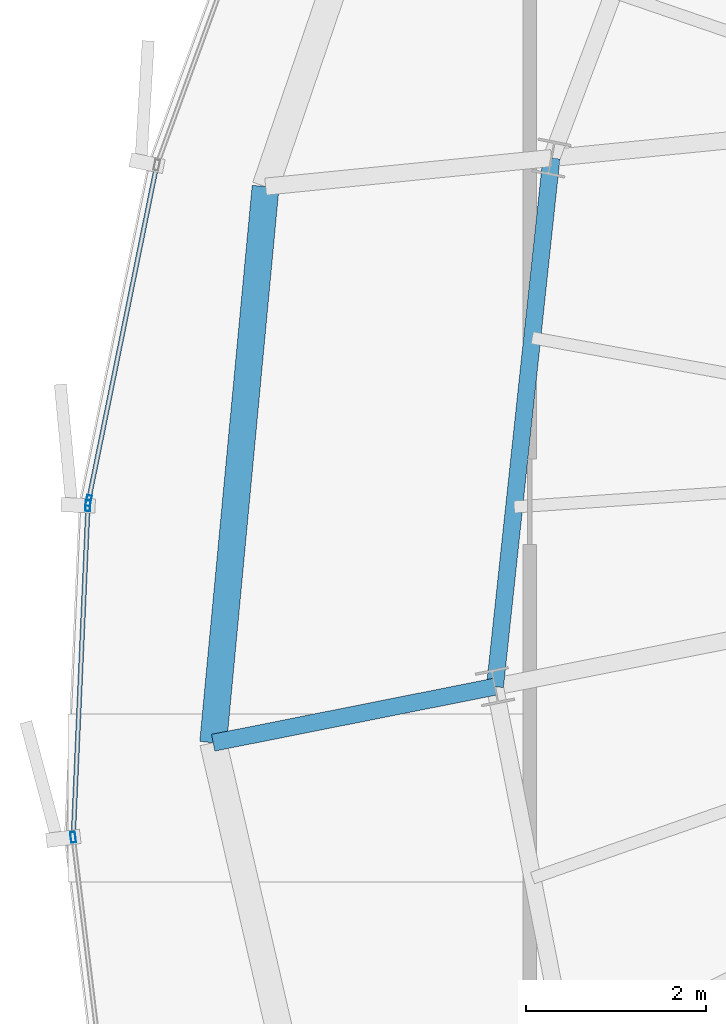
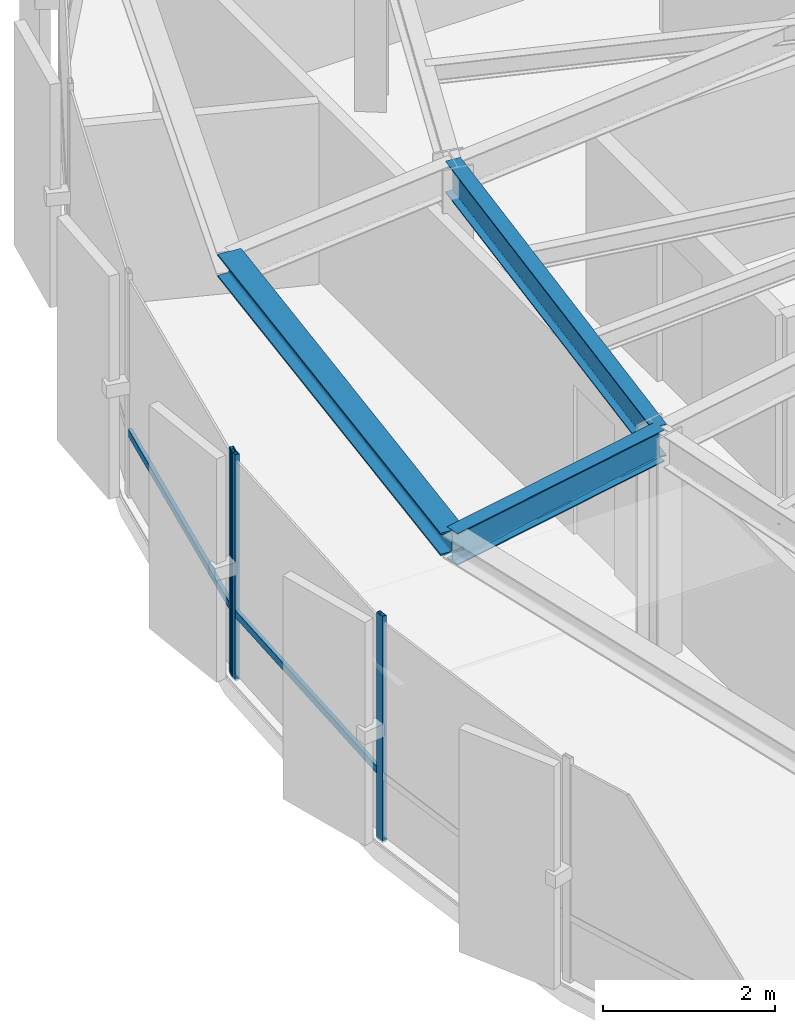
# One storey, part 9 of 33: 5 members, 3 beams, 2 elements without a shape of their own.
"""IFC4 building model written with IfcOpenShell, lengths in metres."""

from ifc_helpers import new_model, si_unit, direction, frame, origin, origin_2d, place, context, subcontext, project, spatial, hollow_rectangle, i_section, extrude, source, transform, mapped, material, layer, layer_set, material_profile, profile_set, type_object, element, aggregate, save


model = new_model("IFC4")

# Units and contexts
model_context = context("Model", 3, precision=1e-05, world=origin(), true_north=direction((0.0, 1.0)))
body_context = subcontext(model_context, "Body", "Model", "MODEL_VIEW")
ifc_project = project(units=[si_unit("LENGTHUNIT", "METRE"), si_unit("AREAUNIT", "SQUARE_METRE"), si_unit("VOLUMEUNIT", "CUBIC_METRE"), si_unit("PLANEANGLEUNIT", "RADIAN"), si_unit("MASSUNIT", "GRAM", prefix="KILO"), si_unit("THERMODYNAMICTEMPERATUREUNIT", "KELVIN")], contexts=[model_context])

# Site, building, storey
site_placement = place(None, origin())
site = spatial("IfcSite", under=ifc_project, at=site_placement, CompositionType="ELEMENT")
building_placement = place(site_placement, origin())
building = spatial("IfcBuilding", under=site, at=building_placement, Name="Kethvar Cultural Tower", CompositionType="ELEMENT")
storey_placement = place(building_placement, frame((0.0, 0.0, 266.35009765625)))
storey = spatial("IfcBuildingStorey", under=building, at=storey_placement, Name="L70", CompositionType="ELEMENT", Elevation=266.35009765625)

# Beams
ifc_material_1 = material(Name="Steel S355J2", Category="steel")
ifc_material_profile_1 = material_profile(ifc_material_1, i_section(OverallWidth=0.18994140625, OverallDepth=0.449951171875, WebThickness=0.009521484375, FlangeThickness=0.0146484375, FilletRadius=0.02099609375, at=origin_2d()), Name="Steel S355J2 — IPE450")
ifc_profile_set_1 = profile_set([ifc_material_profile_1], Name="Steel S355J2 — IPE450")
beam_type_1 = type_object("IfcBeamType", Name="BM-IPE450", PredefinedType="BEAM", material=ifc_profile_set_1)
shared_shape_1 = source(origin(), body_context, "Body", "SweptSolid", [
    extrude(i_section(OverallWidth=0.18994140625, OverallDepth=0.449951171875, WebThickness=0.009521484375, FlangeThickness=0.0146484375, FilletRadius=0.02099609375, at=origin_2d()), origin(), (0.0, 0.0, 1.0), 3.2001953125),
])
beam_1_placement = place(storey_placement, frame((31.68310546875, 24.79296875, 2.98291015625), z_axis=(-0.980788453702, -0.195074368086, 0.0), x_axis=(0.195074368086, -0.980788453702, 0.0)))
element("IfcBeam", 1, at=beam_1_placement, inside=storey, type_object=beam_type_1, Name="L70 Perimeter Cantilever Beam RC-09", PredefinedType="BEAM", context=body_context, shape_type="MappedRepresentation", body=[
    mapped(shared_shape_1, transform((0.0, 0.0, 0.0), scale=1.0)),
])
shared_shape_2 = source(origin(), body_context, "Body", "SweptSolid", [
    extrude(i_section(OverallWidth=0.18994140625, OverallDepth=0.449951171875, WebThickness=0.009521484375, FlangeThickness=0.0146484375, FilletRadius=0.02099609375, at=origin_2d()), origin(), (0.0, 0.0, 1.0), 5.92236328125),
])
beam_2_placement = place(storey_placement, frame((32.3125, 30.681884765625, 2.98291015625), z_axis=(-0.106272578913, -0.994337034899, 0.0), x_axis=(0.994337034899, -0.106272578913, 0.0)))
element("IfcBeam", 2, at=beam_2_placement, inside=storey, type_object=beam_type_1, Name="L70 Column Ring Tie Beam CR-08", PredefinedType="BEAM", context=body_context, shape_type="MappedRepresentation", body=[
    mapped(shared_shape_2, transform((0.0, 0.0, 0.0), scale=1.0)),
])
ifc_material_profile_2 = material_profile(ifc_material_1, i_section(OverallWidth=0.300048828125, OverallDepth=0.320068359375, WebThickness=0.011474609375, FlangeThickness=0.0205078125, FilletRadius=0.027099609375, at=origin_2d()), Name="Steel S355J2 — HEB320")
ifc_profile_set_2 = profile_set([ifc_material_profile_2], Name="Steel S355J2 — HEB320")
beam_type_2 = type_object("IfcBeamType", Name="BM-SP320", PredefinedType="SPANDREL", material=ifc_profile_set_2)
shared_shape_3 = source(origin(), body_context, "Body", "SweptSolid", [
    extrude(i_section(OverallWidth=0.300048828125, OverallDepth=0.320068359375, WebThickness=0.011474609375, FlangeThickness=0.0205078125, FilletRadius=0.027099609375, at=origin_2d()), origin(), (0.0, 0.0, 1.0), 6.222412109375),
])
beam_3_placement = place(storey_placement, frame((29.128173828125, 30.36376953125, 3.0478515625), z_axis=(-0.093811063392, -0.995590018223, 0.0), x_axis=(0.995590018223, -0.093811063392, 0.0)))
element("IfcBeam", 3, at=beam_3_placement, inside=storey, type_object=beam_type_2, Name="L70 Perimeter Spandrel Beam SP-08", PredefinedType="SPANDREL", context=body_context, shape_type="MappedRepresentation", body=[
    mapped(shared_shape_3, transform((0.0, 0.0, 0.0), scale=1.0)),
])

# Curtain wall, member
ifc_material_2 = material(Name="Aluminium 6063-T6", Category="aluminium")
ifc_layer = layer(ifc_material_2, 0.179931640625, Name="Aluminium 6063-T6", Category="aluminium")
ifc_layer_set = layer_set([ifc_layer], Name="Aluminium 6063-T6 (180 mm)")
curtain_wall_type = type_object("IfcCurtainWallType", Name="CW-SYS-05-Z56", PredefinedType="NOTDEFINED", material=ifc_layer_set)
curtain_wall_1_placement = place(storey_placement, origin())
curtain_wall_1 = element("IfcCurtainWall", 4, at=curtain_wall_1_placement, inside=storey, type_object=curtain_wall_type, Name="L70 Curtain Wall Run 02", PredefinedType="NOTDEFINED")
ifc_material_profile_3 = material_profile(ifc_material_2, hollow_rectangle(XDim=0.054931640625, YDim=0.1201171875, WallThickness=0.00390625, at=origin_2d()), Name="Aluminium 6063-T6 — RHS120x55x4")
ifc_profile_set_3 = profile_set([ifc_material_profile_3], Name="Aluminium 6063-T6 — RHS120x55x4")
member_type_1 = type_object("IfcMemberType", Name="CW-SYS-05-Z56-MUL", PredefinedType="MULLION", material=ifc_profile_set_3)
shared_shape_4 = source(origin(), body_context, "Body", "SweptSolid", [
    extrude(hollow_rectangle(XDim=0.054931640625, YDim=0.1201171875, WallThickness=0.00390625, at=origin_2d()), origin(), (0.0, 0.0, 1.0), 3.2099609375),
])
member_1_placement = place(storey_placement, frame((27.15625, 26.8642578125, 0.0), z_axis=(0.0, 0.0, 1.0), x_axis=(0.979990763651, -0.199042968123, 0.0)))
member_1 = element("IfcMember", 5, at=member_1_placement, type_object=member_type_1, Name="CW-L70-R02 Mullion 7", PredefinedType="MULLION", context=body_context, shape_type="MappedRepresentation", body=[
    mapped(shared_shape_4, transform((0.0, 0.0, 0.0), scale=1.0)),
])

# Curtain wall, members
curtain_wall_2_placement = place(storey_placement, origin())
curtain_wall_2 = element("IfcCurtainWall", 6, at=curtain_wall_2_placement, inside=storey, type_object=curtain_wall_type, Name="L70 Curtain Wall Run 03", PredefinedType="NOTDEFINED")
member_2_placement = place(storey_placement, frame((27.1494140625, 26.80908203125, 0.0), z_axis=(0.0, 0.0, 1.0), x_axis=(0.999015204251, -0.044369152288, 0.0)))
member_2 = element("IfcMember", 7, at=member_2_placement, type_object=member_type_1, Name="CW-L70-R03 Mullion 1", PredefinedType="MULLION", context=body_context, shape_type="MappedRepresentation", body=[
    mapped(shared_shape_4, transform((0.0, 0.0, 0.0), scale=1.0)),
])
member_3_placement = place(storey_placement, frame((26.984130859375, 23.1162109375, 0.0), z_axis=(0.0, 0.0, 1.0), x_axis=(0.992666900673, 0.120881860956, 0.0)))
member_3 = element("IfcMember", 8, at=member_3_placement, type_object=member_type_1, Name="CW-L70-R03 Mullion 2", PredefinedType="MULLION", context=body_context, shape_type="MappedRepresentation", body=[
    mapped(shared_shape_4, transform((0.0, 0.0, 0.0), scale=1.0)),
])

# Member
ifc_material_profile_4 = material_profile(ifc_material_2, hollow_rectangle(XDim=0.050048828125, YDim=0.10009765625, WallThickness=0.00390625, at=origin_2d()), Name="Aluminium 6063-T6 — RHS100x50x4")
ifc_profile_set_4 = profile_set([ifc_material_profile_4], Name="Aluminium 6063-T6 — RHS100x50x4")
member_type_2 = type_object("IfcMemberType", Name="CW-SYS-05-Z56-TRN", PredefinedType="USERDEFINED", material=ifc_profile_set_4)
shared_shape_5 = source(origin(), body_context, "Body", "SweptSolid", [
    extrude(hollow_rectangle(XDim=0.050048828125, YDim=0.10009765625, WallThickness=0.00390625, at=origin_2d()), origin(), (0.0, 0.0, 1.0), 3.771728515625),
])
member_4_placement = place(storey_placement, frame((27.90771484375, 30.564453125, 0.949951171875), z_axis=(-0.199040498077, -0.979991265331, 0.0), x_axis=(0.979991265331, -0.199040498077, 0.0)))
member_4 = element("IfcMember", 9, at=member_4_placement, type_object=member_type_2, Name="CW-L70-R02 Transom 6", ObjectType="TRANSOM", PredefinedType="USERDEFINED", context=body_context, shape_type="MappedRepresentation", body=[
    mapped(shared_shape_5, transform((0.0, 0.0, 0.0), scale=1.0)),
])

aggregate(curtain_wall_1, [member_1, member_4])

shared_shape_6 = source(origin(), body_context, "Body", "SweptSolid", [
    extrude(hollow_rectangle(XDim=0.050048828125, YDim=0.10009765625, WallThickness=0.00390625, at=origin_2d()), origin(), (0.0, 0.0, 1.0), 3.66943359375),
])
member_5_placement = place(storey_placement, frame((27.1494140625, 26.80517578125, 0.949951171875), z_axis=(-0.044378479182, -0.999014789973, 0.0), x_axis=(0.999014789973, -0.044378479182, 0.0)))
member_5 = element("IfcMember", 10, at=member_5_placement, type_object=member_type_2, Name="CW-L70-R03 Transom 1", ObjectType="TRANSOM", PredefinedType="USERDEFINED", context=body_context, shape_type="MappedRepresentation", body=[
    mapped(shared_shape_6, transform((0.0, 0.0, 0.0), scale=1.0)),
])

aggregate(curtain_wall_2, [member_2, member_3, member_5])

save(model, "model.ifc")
